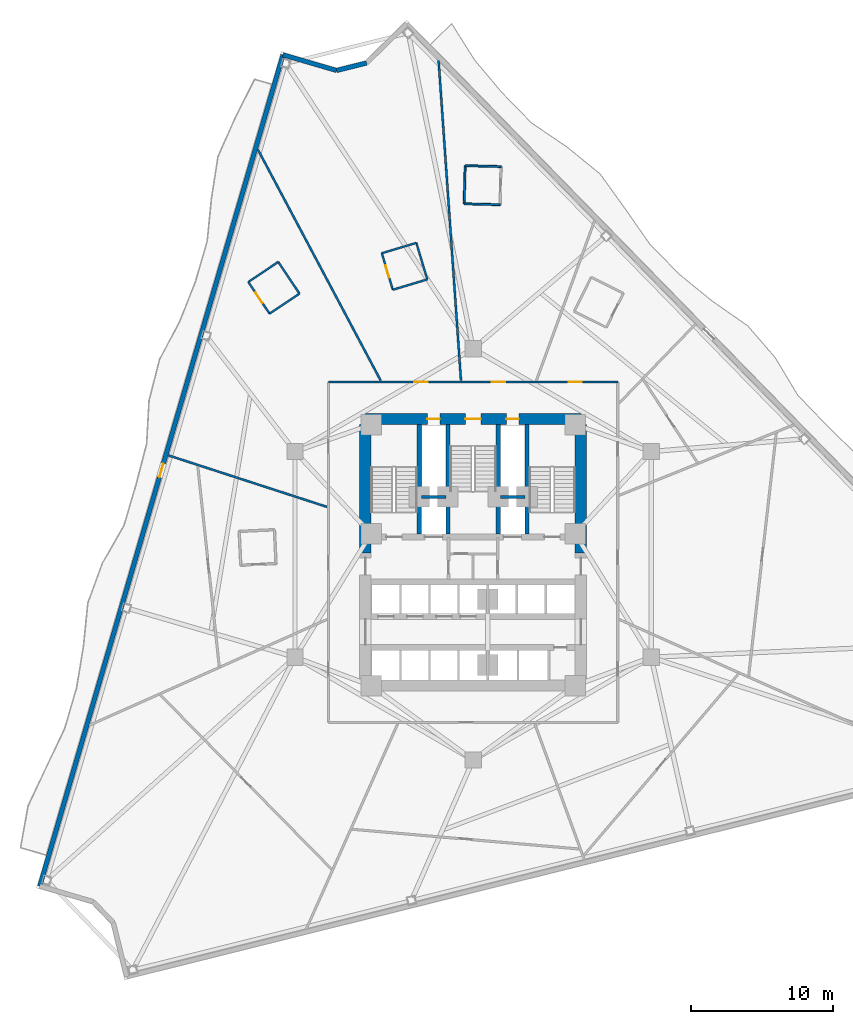
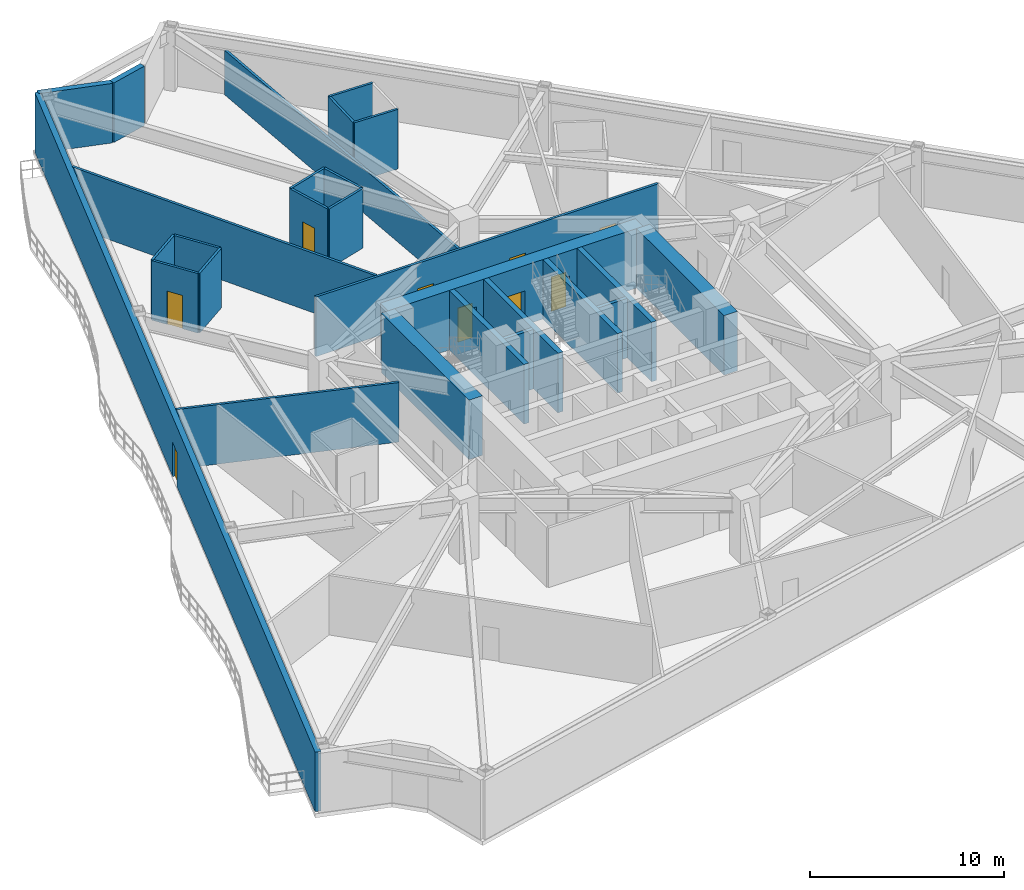
# One storey, part 5 of 9: 27 walls, 9 doors, 9 openings.
"""IFC4 building model written with IfcOpenShell, lengths in metres."""

from ifc_helpers import new_model, si_unit, direction, frame, frame_2d, origin, place, context, subcontext, project, spatial, rectangle, extrude, material, layer, layer_set, type_object, element, fill, save


model = new_model("IFC4")

# Units and contexts
model_context = context("Model", 3, precision=1e-05, world=origin(), true_north=direction((0.0, 1.0)))
body_context = subcontext(model_context, "Body", "Model", "MODEL_VIEW")
ifc_project = project(units=[si_unit("LENGTHUNIT", "METRE"), si_unit("AREAUNIT", "SQUARE_METRE"), si_unit("VOLUMEUNIT", "CUBIC_METRE"), si_unit("PLANEANGLEUNIT", "RADIAN"), si_unit("MASSUNIT", "GRAM", prefix="KILO")], contexts=[model_context])

# Site, building, storey
site_placement = place(None, origin())
site = spatial("IfcSite", under=ifc_project, at=site_placement, CompositionType="ELEMENT")
building_placement = place(site_placement, origin())
building = spatial("IfcBuilding", under=site, at=building_placement, Name="Apsidion Concourse Tower", CompositionType="ELEMENT")
storey_placement = place(building_placement, frame((0.0, 0.0, 103.0)))
storey = spatial("IfcBuildingStorey", under=building, at=storey_placement, Name="L23", CompositionType="ELEMENT", Elevation=103.0)

# Wall, opening, door
ifc_material_1 = material(Name="Precast concrete C40/50", Category="concrete")
ifc_layer_1 = layer(ifc_material_1, 0.320068359375)
ifc_layer_set_1 = layer_set([ifc_layer_1], Name="Precast concrete C40/50")
wall_type_1 = type_object("IfcWallType", Name="WL-EXT-320", PredefinedType="STANDARD", material=ifc_layer_set_1)
wall_1_placement = place(storey_placement, frame((-30.55908203125, -23.389404296875, 0.0), z_axis=(0.0, 0.0, 1.0), x_axis=(0.280769703207, 0.95977516834, 0.0)))
wall_1 = element("IfcWall", 1, at=wall_1_placement, inside=storey, type_object=wall_type_1, Name="L23 Precast Stone Facade Wall 09", PredefinedType="STANDARD", context=body_context, shape_type="SweptSolid", body=[
    extrude(rectangle(XDim=61.07568359375, YDim=0.320068359375, at=frame_2d((30.537841796875, 0.0))), origin(), (0.0, 0.0, 1.0), 3.75),
])
opening_1_placement = place(wall_1_placement, frame((30.037841796875, 0.0, 0.0)))
opening_1 = element("IfcOpeningElement", 2, at=opening_1_placement, cuts=wall_1, Name="Opening D-T1L", PredefinedType="OPENING", context=body_context, shape_type="SweptSolid", body=[
    extrude(rectangle(XDim=1.0, YDim=2.14990234375, at=frame_2d((0.5, 1.074951171875))), frame((0.0, 0.169921875, 0.0), z_axis=(0.0, -1.0, 0.0), x_axis=(1.0, 0.0, 0.0)), (0.0, 0.0, 1.0), 0.340087890625),
])
ifc_material_2 = material(Name="Anodised aluminium EN AW-6063 T6", Category="aluminium")
door_type_1 = type_object("IfcDoorType", Name="DR-TER-1022L", OperationType="SINGLE_SWING_LEFT", PredefinedType="DOOR", material=ifc_material_2)
door_1_placement = place(opening_1_placement, origin())
door_1 = element("IfcDoor", 3, at=door_1_placement, inside=storey, type_object=door_type_1, Name="L23 Balcony Access Door 2", OperationType="SINGLE_SWING_LEFT", OverallHeight=2.14990234375, OverallWidth=1.0, PredefinedType="DOOR", context=body_context, shape_type="SweptSolid", body=[
    extrude(rectangle(XDim=1.0, YDim=2.14990234375, at=frame_2d((0.5, 1.074951171875))), frame((0.0, 0.02490234375, 0.0), z_axis=(0.0, -1.0, 0.0), x_axis=(1.0, 0.0, 0.0)), (0.0, 0.0, 1.0), 0.050048828125),
])
fill(opening_1, door_1)

# Walls
wall_2_placement = place(storey_placement, frame((-13.410888671875, 35.2294921875, 0.0), z_axis=(0.0, 0.0, 1.0), x_axis=(0.959788404321, -0.280724453747, 0.0)))
element("IfcWall", 4, at=wall_2_placement, inside=storey, type_object=wall_type_1, Name="L23 Precast Stone Facade Wall 10", PredefinedType="STANDARD", context=body_context, shape_type="SweptSolid", body=[
    extrude(rectangle(XDim=3.93359375, YDim=0.320068359375, at=frame_2d((1.966796875, 0.0))), origin(), (0.0, 0.0, 1.0), 3.75),
])
wall_3_placement = place(storey_placement, frame((-9.635498046875, 34.125244140625, 0.0), z_axis=(0.0, 0.0, 1.0), x_axis=(0.970306423964, 0.241878985475, 0.0)))
element("IfcWall", 5, at=wall_3_placement, inside=storey, type_object=wall_type_1, Name="L23 Precast Stone Facade Wall 11", PredefinedType="STANDARD", context=body_context, shape_type="SweptSolid", body=[
    extrude(rectangle(XDim=2.187255859375, YDim=0.320068359375, at=frame_2d((1.09375, 0.0))), origin(), (0.0, 0.0, 1.0), 3.75),
])
ifc_material_3 = material(Name="Gypsum plasterboard partition")
ifc_layer_2 = layer(ifc_material_3, 0.139892578125)
ifc_layer_set_2 = layer_set([ifc_layer_2], Name="Gypsum plasterboard partition")
wall_type_2 = type_object("IfcWallType", Name="WL-INT-PAR-140", PredefinedType="PARTITIONING", material=ifc_layer_set_2)
wall_4_placement = place(storey_placement, frame((1.9765625, 27.346435546875, 0.0), z_axis=(0.0, 0.0, 1.0), x_axis=(-0.999658163524, 0.026144905815, 0.0)))
element("IfcWall", 6, at=wall_4_placement, inside=storey, type_object=wall_type_2, Name="L23 Interior Partition WL-L23-POD-ENS07-S2", PredefinedType="PARTITIONING", context=body_context, shape_type="SweptSolid", body=[
    extrude(rectangle(XDim=2.5400390625, YDim=0.139892578125, at=frame_2d((1.27001953125, 0.0))), origin(), (0.0, 0.0, 1.0), 3.75),
])
wall_5_placement = place(storey_placement, frame((-0.5625, 27.412841796875, 0.0), z_axis=(0.0, 0.0, 1.0), x_axis=(-0.026230303498, -0.999655926396, 0.0)))
element("IfcWall", 7, at=wall_5_placement, inside=storey, type_object=wall_type_2, Name="L23 Interior Partition WL-L23-POD-ENS07-S3", PredefinedType="PARTITIONING", context=body_context, shape_type="SweptSolid", body=[
    extrude(rectangle(XDim=2.68994140625, YDim=0.139892578125, at=frame_2d((1.344970703125, 0.0))), origin(), (0.0, 0.0, 1.0), 3.75),
])
wall_6_placement = place(storey_placement, frame((-0.633056640625, 24.723876953125, 0.0), z_axis=(0.0, 0.0, 1.0), x_axis=(0.9996556467, -0.026240960726, 0.0)))
element("IfcWall", 8, at=wall_6_placement, inside=storey, type_object=wall_type_2, Name="L23 Interior Partition WL-L23-POD-ENS07-S4", PredefinedType="PARTITIONING", context=body_context, shape_type="SweptSolid", body=[
    extrude(rectangle(XDim=2.5400390625, YDim=0.139892578125, at=frame_2d((1.27001953125, 0.0))), origin(), (0.0, 0.0, 1.0), 3.75),
])
wall_7_placement = place(storey_placement, frame((-3.231201171875, 19.3916015625, 0.0), z_axis=(0.0, 0.0, 1.0), x_axis=(-0.287414492518, 0.957806300611, 0.0)))
element("IfcWall", 9, at=wall_7_placement, inside=storey, type_object=wall_type_2, Name="L23 Interior Partition WL-L23-POD-ENS08-S1", PredefinedType="PARTITIONING", context=body_context, shape_type="SweptSolid", body=[
    extrude(rectangle(XDim=2.690185546875, YDim=0.139892578125, at=frame_2d((1.34521484375, 0.0))), origin(), (0.0, 0.0, 1.0), 3.75),
])
wall_8_placement = place(storey_placement, frame((-4.00439453125, 21.96826171875, 0.0), z_axis=(0.0, 0.0, 1.0), x_axis=(-0.957813056997, -0.287391975958, 0.0)))
element("IfcWall", 10, at=wall_8_placement, inside=storey, type_object=wall_type_2, Name="L23 Interior Partition WL-L23-POD-ENS08-S2", PredefinedType="PARTITIONING", context=body_context, shape_type="SweptSolid", body=[
    extrude(rectangle(XDim=2.5400390625, YDim=0.139892578125, at=frame_2d((1.27001953125, 0.0))), origin(), (0.0, 0.0, 1.0), 3.75),
])

# Wall, opening, door
wall_9_placement = place(storey_placement, frame((-6.437255859375, 21.23828125, 0.0), z_axis=(0.0, 0.0, 1.0), x_axis=(0.287356212452, -0.957823787116, 0.0)))
wall_9 = element("IfcWall", 11, at=wall_9_placement, inside=storey, type_object=wall_type_2, Name="L23 Interior Partition WL-L23-POD-ENS08-S3", PredefinedType="PARTITIONING", context=body_context, shape_type="SweptSolid", body=[
    extrude(rectangle(XDim=2.68994140625, YDim=0.139892578125, at=frame_2d((1.344970703125, 0.0))), origin(), (0.0, 0.0, 1.0), 3.75),
])
opening_2_placement = place(wall_9_placement, frame((0.905029296875, 0.0, 0.0)))
opening_2 = element("IfcOpeningElement", 12, at=opening_2_placement, cuts=wall_9, Name="Opening D-03L", PredefinedType="OPENING", context=body_context, shape_type="SweptSolid", body=[
    extrude(rectangle(XDim=0.8798828125, YDim=2.10009765625, at=frame_2d((0.43994140625, 1.050048828125))), frame((0.0, 0.080078125, 0.0), z_axis=(0.0, -1.0, 0.0), x_axis=(1.0, 0.0, 0.0)), (0.0, 0.0, 1.0), 0.159912109375),
])
door_type_2 = type_object("IfcDoorType", Name="DR-INT-D03L", OperationType="SINGLE_SWING_LEFT", PredefinedType="DOOR", material=ifc_material_2)
door_2_placement = place(opening_2_placement, origin())
door_2 = element("IfcDoor", 13, at=door_2_placement, inside=storey, type_object=door_type_2, Name="L23 Guest En-Suite Bathroom Door ENS08", OperationType="SINGLE_SWING_LEFT", OverallHeight=2.10009765625, OverallWidth=0.8798828125, PredefinedType="DOOR", context=body_context, shape_type="SweptSolid", body=[
    extrude(rectangle(XDim=0.8798828125, YDim=2.10009765625, at=frame_2d((0.43994140625, 1.050048828125))), frame((0.0, 0.02490234375, 0.0), z_axis=(0.0, -1.0, 0.0), x_axis=(1.0, 0.0, 0.0)), (0.0, 0.0, 1.0), 0.050048828125),
])
fill(opening_2, door_2)

# Walls
wall_10_placement = place(storey_placement, frame((-5.664306640625, 18.661865234375, 0.0), z_axis=(0.0, 0.0, 1.0), x_axis=(0.957847444794, 0.287277344219, 0.0)))
element("IfcWall", 14, at=wall_10_placement, inside=storey, type_object=wall_type_2, Name="L23 Interior Partition WL-L23-POD-ENS08-S4", PredefinedType="PARTITIONING", context=body_context, shape_type="SweptSolid", body=[
    extrude(rectangle(XDim=2.540283203125, YDim=0.139892578125, at=frame_2d((1.27001953125, 0.0))), origin(), (0.0, 0.0, 1.0), 3.75),
])
wall_11_placement = place(storey_placement, frame((-12.245361328125, 18.389892578125, 0.0), z_axis=(0.0, 0.0, 1.0), x_axis=(-0.556270059529, 0.831001576937, 0.0)))
element("IfcWall", 15, at=wall_11_placement, inside=storey, type_object=wall_type_2, Name="L23 Interior Partition WL-L23-POD-ENS09-S1", PredefinedType="PARTITIONING", context=body_context, shape_type="SweptSolid", body=[
    extrude(rectangle(XDim=2.68994140625, YDim=0.139892578125, at=frame_2d((1.344970703125, 0.0))), origin(), (0.0, 0.0, 1.0), 3.75),
])
wall_12_placement = place(storey_placement, frame((-13.74169921875, 20.625244140625, 0.0), z_axis=(0.0, 0.0, 1.0), x_axis=(-0.831028566616, -0.55622973803, 0.0)))
element("IfcWall", 16, at=wall_12_placement, inside=storey, type_object=wall_type_2, Name="L23 Interior Partition WL-L23-POD-ENS09-S2", PredefinedType="PARTITIONING", context=body_context, shape_type="SweptSolid", body=[
    extrude(rectangle(XDim=2.5400390625, YDim=0.139892578125, at=frame_2d((1.27001953125, 0.0))), origin(), (0.0, 0.0, 1.0), 3.75),
])

# Wall, opening, door
wall_13_placement = place(storey_placement, frame((-15.8525390625, 19.21240234375, 0.0), z_axis=(0.0, 0.0, 1.0), x_axis=(0.556228106997, -0.831029658308, 0.0)))
wall_13 = element("IfcWall", 17, at=wall_13_placement, inside=storey, type_object=wall_type_2, Name="L23 Interior Partition WL-L23-POD-ENS09-S3", PredefinedType="PARTITIONING", context=body_context, shape_type="SweptSolid", body=[
    extrude(rectangle(XDim=2.690185546875, YDim=0.139892578125, at=frame_2d((1.34521484375, 0.0))), origin(), (0.0, 0.0, 1.0), 3.75),
])
opening_3_placement = place(wall_13_placement, frame((0.905029296875, 0.0, 0.0)))
opening_3 = element("IfcOpeningElement", 18, at=opening_3_placement, cuts=wall_13, Name="Opening D-03R", PredefinedType="OPENING", context=body_context, shape_type="SweptSolid", body=[
    extrude(rectangle(XDim=0.8798828125, YDim=2.10009765625, at=frame_2d((0.43994140625, 1.050048828125))), frame((0.0, 0.080078125, 0.0), z_axis=(0.0, -1.0, 0.0), x_axis=(1.0, 0.0, 0.0)), (0.0, 0.0, 1.0), 0.159912109375),
])
door_type_3 = type_object("IfcDoorType", Name="DR-INT-D03R", OperationType="SINGLE_SWING_RIGHT", PredefinedType="DOOR", material=ifc_material_2)
door_3_placement = place(opening_3_placement, origin())
door_3 = element("IfcDoor", 19, at=door_3_placement, inside=storey, type_object=door_type_3, Name="L23 Guest En-Suite Bathroom Door ENS09", OperationType="SINGLE_SWING_RIGHT", OverallHeight=2.10009765625, OverallWidth=0.8798828125, PredefinedType="DOOR", context=body_context, shape_type="SweptSolid", body=[
    extrude(rectangle(XDim=0.8798828125, YDim=2.10009765625, at=frame_2d((0.43994140625, 1.050048828125))), frame((0.0, 0.02490234375, 0.0), z_axis=(0.0, -1.0, 0.0), x_axis=(1.0, 0.0, 0.0)), (0.0, 0.0, 1.0), 0.050048828125),
])
fill(opening_3, door_3)

# Wall
wall_14_placement = place(storey_placement, frame((-14.356201171875, 16.976806640625, 0.0), z_axis=(0.0, 0.0, 1.0), x_axis=(0.830984136896, 0.556296112, 0.0)))
element("IfcWall", 20, at=wall_14_placement, inside=storey, type_object=wall_type_2, Name="L23 Interior Partition WL-L23-POD-ENS09-S4", PredefinedType="PARTITIONING", context=body_context, shape_type="SweptSolid", body=[
    extrude(rectangle(XDim=2.540283203125, YDim=0.139892578125, at=frame_2d((1.27001953125, 0.0))), origin(), (0.0, 0.0, 1.0), 3.75),
])

# Wall, openings, doors
ifc_layer_3 = layer(ifc_material_3, 0.14990234375)
ifc_layer_set_3 = layer_set([ifc_layer_3], Name="Gypsum plasterboard partition")
wall_type_3 = type_object("IfcWallType", Name="WL-INT-PAR-150", PredefinedType="PARTITIONING", material=ifc_layer_set_3)
wall_15_placement = place(storey_placement, frame((-10.199951171875, 12.14990234375, 0.0), z_axis=(0.0, 0.0, 1.0), x_axis=(1.0, 0.0, 0.0)))
wall_15 = element("IfcWall", 21, at=wall_15_placement, inside=storey, type_object=wall_type_3, Name="L23 Interior Partition WL-L23-CORR-01", PredefinedType="PARTITIONING", context=body_context, shape_type="SweptSolid", body=[
    extrude(rectangle(XDim=20.39990234375, YDim=0.14990234375, at=frame_2d((10.199951171875, 0.0))), origin(), (0.0, 0.0, 1.0), 3.75),
])
opening_4_placement = place(wall_15_placement, frame((16.92626953125, 0.0, 0.0)))
opening_4 = element("IfcOpeningElement", 22, at=opening_4_placement, cuts=wall_15, Name="Opening D-01L", PredefinedType="OPENING", context=body_context, shape_type="SweptSolid", body=[
    extrude(rectangle(XDim=0.949951171875, YDim=2.14990234375, at=frame_2d((0.47509765625, 1.074951171875))), frame((0.0, 0.0849609375, 0.0), z_axis=(0.0, -1.0, 0.0), x_axis=(1.0, 0.0, 0.0)), (0.0, 0.0, 1.0), 0.169921875),
])
opening_5_placement = place(wall_15_placement, frame((11.522216796875, 0.0, 0.0)))
opening_5 = element("IfcOpeningElement", 23, at=opening_5_placement, cuts=wall_15, Name="Opening D-01R", PredefinedType="OPENING", context=body_context, shape_type="SweptSolid", body=[
    extrude(rectangle(XDim=0.949951171875, YDim=2.14990234375, at=frame_2d((0.47509765625, 1.074951171875))), frame((0.0, 0.0849609375, 0.0), z_axis=(0.0, -1.0, 0.0), x_axis=(1.0, 0.0, 0.0)), (0.0, 0.0, 1.0), 0.169921875),
])
opening_6_placement = place(wall_15_placement, frame((6.044921875, 0.0, 0.0)))
opening_6 = element("IfcOpeningElement", 24, at=opening_6_placement, cuts=wall_15, Name="Opening D-01L", PredefinedType="OPENING", context=body_context, shape_type="SweptSolid", body=[
    extrude(rectangle(XDim=0.949951171875, YDim=2.14990234375, at=frame_2d((0.47509765625, 1.074951171875))), frame((0.0, 0.0849609375, 0.0), z_axis=(0.0, -1.0, 0.0), x_axis=(1.0, 0.0, 0.0)), (0.0, 0.0, 1.0), 0.169921875),
])
ifc_material_4 = material(Name="Brushed stainless steel 316", Category="steel")
door_type_4 = type_object("IfcDoorType", Name="DR-INT-D01L", OperationType="SINGLE_SWING_LEFT", PredefinedType="DOOR", material=ifc_material_4)
door_4_placement = place(opening_4_placement, origin())
door_4 = element("IfcDoor", 25, at=door_4_placement, inside=storey, type_object=door_type_4, Name="L23 Corridor Entry Door 07", OperationType="SINGLE_SWING_LEFT", OverallHeight=2.14990234375, OverallWidth=0.949951171875, PredefinedType="DOOR", context=body_context, shape_type="SweptSolid", body=[
    extrude(rectangle(XDim=0.949951171875, YDim=2.14990234375, at=frame_2d((0.47509765625, 1.074951171875))), frame((0.0, 0.02490234375, 0.0), z_axis=(0.0, -1.0, 0.0), x_axis=(1.0, 0.0, 0.0)), (0.0, 0.0, 1.0), 0.050048828125),
])
fill(opening_4, door_4)
door_5_placement = place(opening_6_placement, origin())
door_5 = element("IfcDoor", 26, at=door_5_placement, inside=storey, type_object=door_type_4, Name="L23 Corridor Entry Door 09", OperationType="SINGLE_SWING_LEFT", OverallHeight=2.14990234375, OverallWidth=0.949951171875, PredefinedType="DOOR", context=body_context, shape_type="SweptSolid", body=[
    extrude(rectangle(XDim=0.949951171875, YDim=2.14990234375, at=frame_2d((0.47509765625, 1.074951171875))), frame((0.0, 0.02490234375, 0.0), z_axis=(0.0, -1.0, 0.0), x_axis=(1.0, 0.0, 0.0)), (0.0, 0.0, 1.0), 0.050048828125),
])
fill(opening_6, door_5)
door_type_5 = type_object("IfcDoorType", Name="DR-INT-D01R", OperationType="SINGLE_SWING_RIGHT", PredefinedType="DOOR", material=ifc_material_4)
door_6_placement = place(opening_5_placement, origin())
door_6 = element("IfcDoor", 27, at=door_6_placement, inside=storey, type_object=door_type_5, Name="L23 Corridor Entry Door 08", OperationType="SINGLE_SWING_RIGHT", OverallHeight=2.14990234375, OverallWidth=0.949951171875, PredefinedType="DOOR", context=body_context, shape_type="SweptSolid", body=[
    extrude(rectangle(XDim=0.949951171875, YDim=2.14990234375, at=frame_2d((0.47509765625, 1.074951171875))), frame((0.0, 0.02490234375, 0.0), z_axis=(0.0, -1.0, 0.0), x_axis=(1.0, 0.0, 0.0)), (0.0, 0.0, 1.0), 0.050048828125),
])
fill(opening_5, door_6)

# Walls
wall_16_placement = place(storey_placement, frame((-0.85693359375, 12.2548828125, 0.0), z_axis=(0.0, 0.0, 1.0), x_axis=(-0.069756780501, 0.997564028809, 0.0)))
element("IfcWall", 28, at=wall_16_placement, inside=storey, type_object=wall_type_3, Name="L23 Interior Partition WL-L23-RAD-04-1", PredefinedType="PARTITIONING", context=body_context, shape_type="SweptSolid", body=[
    extrude(rectangle(XDim=22.6337890625, YDim=0.14990234375, at=frame_2d((11.31689453125, 0.0))), origin(), (0.0, 0.0, 1.0), 2.798095703125),
])
wall_17_placement = place(storey_placement, frame((-6.51611328125, 12.2548828125, 0.0), z_axis=(0.0, 0.0, 1.0), x_axis=(-0.46946884972, 0.882949035416, 0.0)))
element("IfcWall", 29, at=wall_17_placement, inside=storey, type_object=wall_type_3, Name="L23 Interior Partition WL-L23-RAD-05-1", PredefinedType="PARTITIONING", context=body_context, shape_type="SweptSolid", body=[
    extrude(rectangle(XDim=18.458251953125, YDim=0.14990234375, at=frame_2d((9.22900390625, 0.0))), origin(), (0.0, 0.0, 1.0), 3.75),
])
wall_18_placement = place(storey_placement, frame((-10.304931640625, 3.348388671875, 0.0), z_axis=(0.0, 0.0, 1.0), x_axis=(-0.95106350306, 0.308995490497, 0.0)))
element("IfcWall", 30, at=wall_18_placement, inside=storey, type_object=wall_type_3, Name="L23 Interior Partition WL-L23-RAD-06-1", PredefinedType="PARTITIONING", context=body_context, shape_type="SweptSolid", body=[
    extrude(rectangle(XDim=11.762451171875, YDim=0.14990234375, at=frame_2d((5.88134765625, 0.0))), origin(), (0.0, 0.0, 1.0), 3.75),
])
ifc_layer_4 = layer(ifc_material_3, 0.199951171875)
ifc_layer_set_4 = layer_set([ifc_layer_4], Name="Gypsum plasterboard partition")
wall_type_4 = type_object("IfcWallType", Name="WL-INT-PAR-200", PredefinedType="PARTITIONING", material=ifc_layer_set_4)
for number, where, z_axis, x_axis, name in (
    (31, (-3.64990234375, 4.050048828125, 0.0), (0.0, 0.0, 1.0), (1.0, 0.0, 0.0), "L23 Interior Partition WL-L23-FF1-N"),
    (32, (1.919921875, 4.050048828125, 0.0), (0.0, 0.0, 1.0), (1.0, 0.0, 0.0), "L23 Interior Partition WL-L23-FF2-N"),
):
    element("IfcWall", number, at=place(storey_placement, frame(where, z_axis=z_axis, x_axis=x_axis)), inside=storey, type_object=wall_type_4, Name=name, PredefinedType="PARTITIONING", context=body_context, shape_type="SweptSolid", body=[
        extrude(rectangle(XDim=1.72998046875, YDim=0.199951171875, at=frame_2d((0.864990234375, 0.0))), origin(), (0.0, 0.0, 1.0), 3.75),
    ])
ifc_material_5 = material(Name="Concrete C50/60", Category="concrete")
ifc_layer_5 = layer(ifc_material_5, 0.300048828125)
ifc_layer_set_5 = layer_set([ifc_layer_5], Name="Concrete C50/60")
wall_type_5 = type_object("IfcWallType", Name="WL-SH-300", PredefinedType="SHEAR", material=ifc_layer_set_5)
for number, where, z_axis, x_axis, name in (
    (33, (-3.800048828125, 1.449951171875, 0.0), (0.0, 0.0, 1.0), (0.0, 1.0, 0.0), "L23 Central Core Shear Wall V1"),
    (34, (-1.77490234375, 1.449951171875, 0.0), (0.0, 0.0, 1.0), (0.0, 1.0, 0.0), "L23 Central Core Shear Wall V2"),
    (35, (1.77490234375, 1.449951171875, 0.0), (0.0, 0.0, 1.0), (0.0, 1.0, 0.0), "L23 Central Core Shear Wall V3"),
    (36, (3.800048828125, 1.449951171875, 0.0), (0.0, 0.0, 1.0), (0.0, 1.0, 0.0), "L23 Central Core Shear Wall V4"),
):
    element("IfcWall", number, at=place(storey_placement, frame(where, z_axis=z_axis, x_axis=x_axis)), inside=storey, type_object=wall_type_5, Name=name, PredefinedType="SHEAR", context=body_context, shape_type="SweptSolid", body=[
        extrude(rectangle(XDim=7.699951171875, YDim=0.300048828125, at=frame_2d((3.85009765625, 0.0))), origin(), (0.0, 0.0, 1.0), 3.75),
    ])

# Wall, openings, doors
ifc_material_6 = material(Name="Concrete C60/75", Category="concrete")
ifc_layer_6 = layer(ifc_material_6, 0.800048828125)
ifc_layer_set_6 = layer_set([ifc_layer_6], Name="Concrete C60/75")
wall_type_6 = type_object("IfcWallType", Name="WL-SH-800", PredefinedType="SHEAR", material=ifc_layer_set_6)
wall_19_placement = place(storey_placement, frame((-7.60009765625, 9.550048828125, 0.0), z_axis=(0.0, 0.0, 1.0), x_axis=(1.0, 0.0, 0.0)))
wall_19 = element("IfcWall", 37, at=wall_19_placement, inside=storey, type_object=wall_type_6, Name="L23 Central Core Shear Wall N", PredefinedType="SHEAR", context=body_context, shape_type="SweptSolid", body=[
    extrude(rectangle(XDim=15.2001953125, YDim=0.800048828125, at=frame_2d((7.60009765625, 0.0))), origin(), (0.0, 0.0, 1.0), 3.75),
])
opening_7_placement = place(wall_19_placement, frame((7.050048828125, 0.0, 0.0)))
opening_7 = element("IfcOpeningElement", 38, at=opening_7_placement, cuts=wall_19, Name="Opening D-STL", PredefinedType="OPENING", context=body_context, shape_type="SweptSolid", body=[
    extrude(rectangle(XDim=1.10009765625, YDim=2.14990234375, at=frame_2d((0.550048828125, 1.074951171875))), frame((0.0, 0.41015625, 0.0), z_axis=(0.0, -1.0, 0.0), x_axis=(1.0, 0.0, 0.0)), (0.0, 0.0, 1.0), 0.820068359375),
])
opening_8_placement = place(wall_19_placement, frame((4.3798828125, 0.0, 0.0)))
opening_8 = element("IfcOpeningElement", 39, at=opening_8_placement, cuts=wall_19, Name="Opening D-05L", PredefinedType="OPENING", context=body_context, shape_type="SweptSolid", body=[
    extrude(rectangle(XDim=0.8798828125, YDim=2.14990234375, at=frame_2d((0.43994140625, 1.074951171875))), frame((0.0, 0.41015625, 0.0), z_axis=(0.0, -1.0, 0.0), x_axis=(1.0, 0.0, 0.0)), (0.0, 0.0, 1.0), 0.820068359375),
])
opening_9_placement = place(wall_19_placement, frame((9.93994140625, 0.0, 0.0)))
opening_9 = element("IfcOpeningElement", 40, at=opening_9_placement, cuts=wall_19, Name="Opening D-05R", PredefinedType="OPENING", context=body_context, shape_type="SweptSolid", body=[
    extrude(rectangle(XDim=0.8798828125, YDim=2.14990234375, at=frame_2d((0.43994140625, 1.074951171875))), frame((0.0, 0.41015625, 0.0), z_axis=(0.0, -1.0, 0.0), x_axis=(1.0, 0.0, 0.0)), (0.0, 0.0, 1.0), 0.820068359375),
])
door_type_6 = type_object("IfcDoorType", Name="DR-INT-D05L", OperationType="SINGLE_SWING_LEFT", PredefinedType="DOOR", material=ifc_material_4)
door_7_placement = place(opening_8_placement, origin())
door_7 = element("IfcDoor", 41, at=door_7_placement, inside=storey, type_object=door_type_6, Name="L23 Electrical Riser Shaft Access Door", OperationType="SINGLE_SWING_LEFT", OverallHeight=2.14990234375, OverallWidth=0.8798828125, PredefinedType="DOOR", context=body_context, shape_type="SweptSolid", body=[
    extrude(rectangle(XDim=0.8798828125, YDim=2.14990234375, at=frame_2d((0.43994140625, 1.074951171875))), frame((0.0, 0.02490234375, 0.0), z_axis=(0.0, -1.0, 0.0), x_axis=(1.0, 0.0, 0.0)), (0.0, 0.0, 1.0), 0.050048828125),
])
fill(opening_8, door_7)
door_type_7 = type_object("IfcDoorType", Name="DR-INT-D05R", OperationType="SINGLE_SWING_RIGHT", PredefinedType="DOOR", material=ifc_material_4)
door_8_placement = place(opening_9_placement, origin())
door_8 = element("IfcDoor", 42, at=door_8_placement, inside=storey, type_object=door_type_7, Name="L23 Mechanical Riser Shaft Access Door", OperationType="SINGLE_SWING_RIGHT", OverallHeight=2.14990234375, OverallWidth=0.8798828125, PredefinedType="DOOR", context=body_context, shape_type="SweptSolid", body=[
    extrude(rectangle(XDim=0.8798828125, YDim=2.14990234375, at=frame_2d((0.43994140625, 1.074951171875))), frame((0.0, 0.02490234375, 0.0), z_axis=(0.0, -1.0, 0.0), x_axis=(1.0, 0.0, 0.0)), (0.0, 0.0, 1.0), 0.050048828125),
])
fill(opening_9, door_8)
door_type_8 = type_object("IfcDoorType", Name="DR-INT-ST1L", OperationType="SINGLE_SWING_LEFT", PredefinedType="DOOR", material=ifc_material_4)
door_9_placement = place(opening_7_placement, origin())
door_9 = element("IfcDoor", 43, at=door_9_placement, inside=storey, type_object=door_type_8, Name="L23 Core Exit Stair ST3 Door", OperationType="SINGLE_SWING_LEFT", OverallHeight=2.14990234375, OverallWidth=1.10009765625, PredefinedType="DOOR", context=body_context, shape_type="SweptSolid", body=[
    extrude(rectangle(XDim=1.10009765625, YDim=2.14990234375, at=frame_2d((0.550048828125, 1.074951171875))), frame((0.0, 0.02490234375, 0.0), z_axis=(0.0, -1.0, 0.0), x_axis=(1.0, 0.0, 0.0)), (0.0, 0.0, 1.0), 0.050048828125),
])
fill(opening_7, door_9)

# Walls
for number, where, z_axis, x_axis, name in (
    (44, (-7.60009765625, 0.10009765625, 0.0), (0.0, 0.0, 1.0), (0.0, 1.0, 0.0), "L23 Central Core Shear Wall WN"),
    (45, (7.60009765625, 0.10009765625, 0.0), (0.0, 0.0, 1.0), (0.0, 1.0, 0.0), "L23 Central Core Shear Wall EN"),
):
    element("IfcWall", number, at=place(storey_placement, frame(where, z_axis=z_axis, x_axis=x_axis)), inside=storey, type_object=wall_type_6, Name=name, PredefinedType="SHEAR", context=body_context, shape_type="SweptSolid", body=[
        extrude(rectangle(XDim=9.0498046875, YDim=0.800048828125, at=frame_2d((4.52490234375, 0.0))), origin(), (0.0, 0.0, 1.0), 3.75),
    ])

save(model, "model.ifc")
